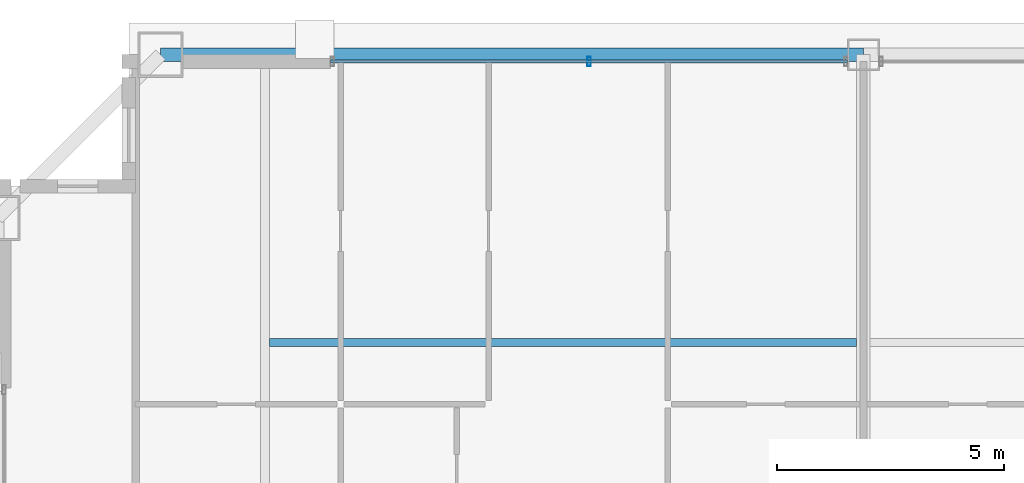
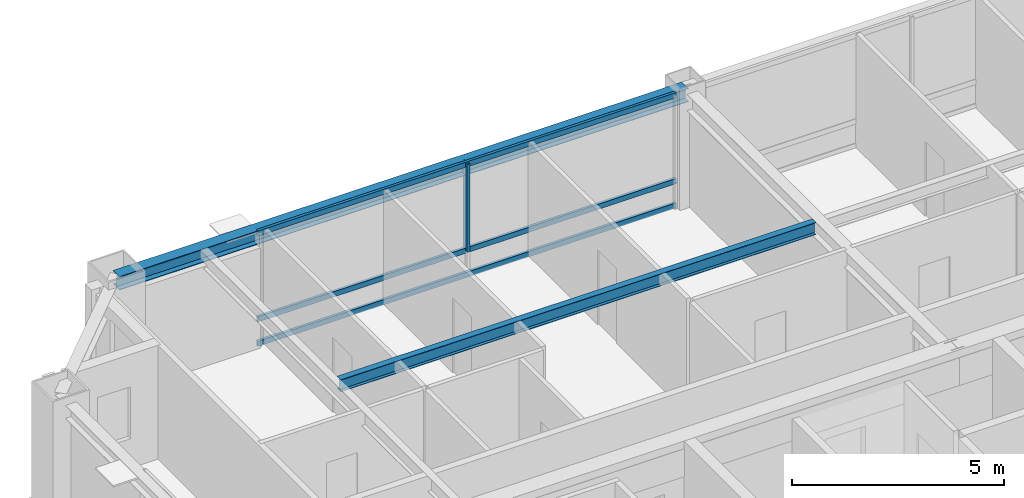
# One storey, part 17 of 35: 4 members, 2 beams, 1 element without a shape of its own.
"""IFC4 building model written with IfcOpenShell, lengths in metres."""

import ifcopenshell
import ifcopenshell.guid

model = None  # the IFC model being written
_history = None  # IfcOwnerHistory: only IFC2X3 demands one
_inside = {}  # id of a spatial element -> (the spatial element, [elements in it])
_under = {}  # id of a project, library or spatial element -> (it, [spatial elements below it])
_declared = {}  # id of a project -> (the project, [libraries it declares])
_typed = {}  # id of a type object -> (the type object, [elements of that type])
_made_of = {}  # id of a material, layer set ... -> (it, [elements and type objects made of it])


def new_model(schema):
    """Start an empty IFC model of exactly this schema.

    Asked for "IFC4X3", IfcOpenShell would pick the latest addendum, in which some entities
    have other attributes; the version numbers below select the first issue.
    IFC2X3 requires an IfcOwnerHistory on every rooted entity: one is made here for all.
    """
    global model, _history
    if schema == "IFC4X3":
        model = ifcopenshell.file(schema_version=(4, 3, 0, 0))
    else:
        model = ifcopenshell.file(schema=schema)
    _inside.clear()
    _under.clear()
    _declared.clear()
    _typed.clear()
    _made_of.clear()
    _history = None
    if model.schema == "IFC2X3":
        org = make("IfcOrganization", Name="unknown")
        user = make(
            "IfcPersonAndOrganization",
            ThePerson=make("IfcPerson", FamilyName="unknown"),
            TheOrganization=org,
        )
        app = make(
            "IfcApplication",
            ApplicationDeveloper=org,
            Version="unknown",
            ApplicationFullName="unknown",
            ApplicationIdentifier="unknown",
        )
        _history = make(
            "IfcOwnerHistory",
            OwningUser=user,
            OwningApplication=app,
            ChangeAction="ADDED",
            CreationDate=0,
        )
    return model


def make(cls, **values):
    """One entity of the class cls with the attributes given. An attribute that is None is left unset."""
    return model.create_entity(
        cls, **{name: value for name, value in values.items() if value is not None}
    )


def rooted(cls, **values):
    """An entity with a GlobalId (a new one), such as an element, a storey or a relation."""
    return make(cls, GlobalId=ifcopenshell.guid.new(), OwnerHistory=_history, **values)


def si_unit(unit_type, name, prefix=None):
    """IfcSIUnit, for example si_unit("LENGTHUNIT", "METRE", prefix="MILLI")."""
    return make("IfcSIUnit", UnitType=unit_type, Prefix=prefix, Name=name)


def assignment(units):
    """IfcUnitAssignment: the units of a project."""
    return None if units is None else make("IfcUnitAssignment", Units=units)


def point(xyz):
    """IfcCartesianPoint."""
    return None if xyz is None else make("IfcCartesianPoint", Coordinates=xyz)


def direction(xyz):
    """IfcDirection."""
    return None if xyz is None else make("IfcDirection", DirectionRatios=xyz)


def frame(location, z_axis=None, x_axis=None):
    """IfcAxis2Placement3D, a coordinate frame: its origin and axes. An axis left out is left unset."""
    return make(
        "IfcAxis2Placement3D",
        Location=point(location),
        Axis=direction(z_axis),
        RefDirection=direction(x_axis),
    )


def frame_2d(location, x_axis=None):
    """IfcAxis2Placement2D, a coordinate frame in the plane: its origin and x axis."""
    return make(
        "IfcAxis2Placement2D", Location=point(location), RefDirection=direction(x_axis)
    )


def origin():
    """The frame at (0, 0, 0) with its axes left unset."""
    return frame((0.0, 0.0, 0.0))


def origin_2d():
    """The frame at (0, 0) in the plane with its x axis left unset."""
    return frame_2d((0.0, 0.0))


def place(relative_to, where):
    """IfcLocalPlacement: puts the frame where relative to a parent placement (None: the world)."""
    return make(
        "IfcLocalPlacement", PlacementRelTo=relative_to, RelativePlacement=where
    )


def context(
    kind, dimensions, precision=None, world=None, true_north=None, identifier=None
):
    """IfcGeometricRepresentationContext, for example the 3D "Model" context."""
    return make(
        "IfcGeometricRepresentationContext",
        ContextIdentifier=identifier,
        ContextType=kind,
        CoordinateSpaceDimension=dimensions,
        Precision=precision,
        WorldCoordinateSystem=world,
        TrueNorth=true_north,
    )


def subcontext(parent, identifier, kind, view, scale=None):
    """IfcGeometricRepresentationSubContext, for example "Body" below "Model"."""
    return make(
        "IfcGeometricRepresentationSubContext",
        ContextIdentifier=identifier,
        ContextType=kind,
        ParentContext=parent,
        TargetScale=scale,
        TargetView=view,
    )


def project(units=None, contexts=None):
    """IfcProject with its units and contexts."""
    return rooted(
        "IfcProject",
        Name="project",
        RepresentationContexts=contexts,
        UnitsInContext=assignment(units),
    )


def spatial(cls, under=None, at=None, **own):
    """A site, building, storey or space (cls), placed at a placement, below another one or the project."""
    s = rooted(cls, ObjectPlacement=at, **own)
    if under is not None:
        _under.setdefault(under.id(), (under, []))[1].append(s)
    return s


def profile(cls, at=None, kind="AREA", **sizes):
    """A parametric profile (cls). Its sizes go by their IFC names, for example OverallWidth=200.0."""
    return make(cls, ProfileType=kind, Position=at, **sizes)


def hollow_rectangle(**sizes):
    """IfcRectangleHollowProfileDef."""
    return profile("IfcRectangleHollowProfileDef", **sizes)


def i_section(**sizes):
    """IfcIShapeProfileDef."""
    return profile("IfcIShapeProfileDef", **sizes)


def extrude(swept, where, along, depth):
    """IfcExtrudedAreaSolid: the profile swept, set in the frame where, extruded along a direction by depth."""
    return make(
        "IfcExtrudedAreaSolid",
        SweptArea=swept,
        Position=where,
        ExtrudedDirection=direction(along),
        Depth=depth,
    )


def shape(context_of_items, identifier, shape_type, items):
    """IfcShapeRepresentation: the items that make up one representation, for example the "Body"."""
    return make(
        "IfcShapeRepresentation",
        ContextOfItems=context_of_items,
        RepresentationIdentifier=identifier,
        RepresentationType=shape_type,
        Items=items,
    )


def source(mapping_origin, context_of_items, identifier, shape_type, items):
    """IfcRepresentationMap: a shape defined once, which mapped items show again and again."""
    return make(
        "IfcRepresentationMap",
        MappingOrigin=mapping_origin,
        MappedRepresentation=shape(context_of_items, identifier, shape_type, items),
    )


def transform(
    local_origin,
    x_axis=None,
    y_axis=None,
    z_axis=None,
    scale=None,
    scale2=None,
    scale3=None,
    uniform=True,
):
    """IfcCartesianTransformationOperator3D, or its non-uniform kind. x_axis, y_axis, z_axis: its Axis1, 2, 3."""
    if uniform:
        return make(
            "IfcCartesianTransformationOperator3D",
            Axis1=direction(x_axis),
            Axis2=direction(y_axis),
            LocalOrigin=point(local_origin),
            Scale=scale,
            Axis3=direction(z_axis),
        )
    return make(
        "IfcCartesianTransformationOperator3DnonUniform",
        Axis1=direction(x_axis),
        Axis2=direction(y_axis),
        LocalOrigin=point(local_origin),
        Scale=scale,
        Axis3=direction(z_axis),
        Scale2=scale2,
        Scale3=scale3,
    )


def mapped(mapping_source, mapping_target):
    """IfcMappedItem: shows the shape of a source again, moved by a transform."""
    return make(
        "IfcMappedItem", MappingSource=mapping_source, MappingTarget=mapping_target
    )


def material(Name=None, Category=None):
    """IfcMaterial."""
    return make("IfcMaterial", Name=Name, Category=Category)


def layer(
    of_material, thickness, ventilated=None, Name=None, Category=None, Priority=None
):
    """IfcMaterialLayer: one layer of a wall or slab, of a material (None: an air gap)."""
    return make(
        "IfcMaterialLayer",
        Material=of_material,
        LayerThickness=thickness,
        IsVentilated=ventilated,
        Name=Name,
        Category=Category,
        Priority=Priority,
    )


def layer_set(layers, Name=None):
    """IfcMaterialLayerSet."""
    return make("IfcMaterialLayerSet", MaterialLayers=layers, LayerSetName=Name)


def material_profile(
    of_material, cross_section, Name=None, Category=None, Priority=None
):
    """IfcMaterialProfile: a cross section and its material."""
    return make(
        "IfcMaterialProfile",
        Name=Name,
        Material=of_material,
        Profile=cross_section,
        Priority=Priority,
        Category=Category,
    )


def profile_set(profiles, Name=None, composite=None):
    """IfcMaterialProfileSet."""
    return make(
        "IfcMaterialProfileSet",
        Name=Name,
        MaterialProfiles=profiles,
        CompositeProfile=composite,
    )


def made_of(thing, what):
    """Note that an element or type object is made of a material, layer set ...; save() writes the relation."""
    if what is not None:
        _made_of.setdefault(what.id(), (what, []))[1].append(thing)
    return thing


def type_object(cls, material=None, **own):
    """A type object (cls), such as IfcWallType, which elements share."""
    return made_of(rooted(cls, **own), material)


def element(
    cls,
    number,
    at=None,
    inside=None,
    cuts=None,
    type_object=None,
    material=None,
    context=None,
    identifier="Body",
    shape_type=None,
    held_by="IfcProductDefinitionShape",
    body=None,
    shapes=None,
    **own,
):
    """One element of the class cls, such as IfcWall. Its Tag is "e" and its number.

    at: its placement. inside: the storey or other place that contains it. cuts: it is an
    opening in that element (IfcRelVoidsElement). A single representation is given by context,
    identifier, shape_type and body (its items); several are given by shapes. held_by: the class
    of the entity that holds the representations. save() writes the other relations.
    """
    e = rooted(cls, Tag="e%d" % number, ObjectPlacement=at, **own)
    if body is not None:
        shapes = [shape(context, identifier, shape_type, body)]
    if shapes is not None:
        e.Representation = make(held_by, Representations=shapes)
    if inside is not None:
        _inside.setdefault(inside.id(), (inside, []))[1].append(e)
    if cuts is not None:
        rooted(
            "IfcRelVoidsElement", RelatingBuildingElement=cuts, RelatedOpeningElement=e
        )
    if type_object is not None:
        _typed.setdefault(type_object.id(), (type_object, []))[1].append(e)
    return made_of(e, material)


def aggregate(whole, parts):
    """IfcRelAggregates: a whole, such as a stair, and the parts it consists of."""
    return rooted("IfcRelAggregates", RelatingObject=whole, RelatedObjects=parts)


def save(model, path):
    """Write the relations noted so far, then the file.

    IfcRelAggregates (storeys below a building ...), IfcRelContainedInSpatialStructure (elements
    in a storey), IfcRelDefinesByType, IfcRelAssociatesMaterial and IfcRelDeclares: one each for
    every whole, place, type object, material and project.
    """
    for whole, parts in _under.values():
        aggregate(whole, parts)
    for where, things in _inside.values():
        rooted(
            "IfcRelContainedInSpatialStructure",
            RelatedElements=things,
            RelatingStructure=where,
        )
    for kind, things in _typed.values():
        rooted("IfcRelDefinesByType", RelatedObjects=things, RelatingType=kind)
    for what, things in _made_of.values():
        rooted("IfcRelAssociatesMaterial", RelatedObjects=things, RelatingMaterial=what)
    for by, libraries in _declared.values():
        rooted("IfcRelDeclares", RelatingContext=by, RelatedDefinitions=libraries)
    model.write(path)


model = new_model("IFC4")

# Units and contexts
model_context = context("Model", 3, precision=1e-05, world=origin(), true_north=direction((0.0, 1.0)))
body_context = subcontext(model_context, "Body", "Model", "MODEL_VIEW")
ifc_project = project(units=[si_unit("LENGTHUNIT", "METRE"), si_unit("AREAUNIT", "SQUARE_METRE"), si_unit("VOLUMEUNIT", "CUBIC_METRE"), si_unit("PLANEANGLEUNIT", "RADIAN"), si_unit("MASSUNIT", "GRAM", prefix="KILO"), si_unit("THERMODYNAMICTEMPERATUREUNIT", "KELVIN"), si_unit("POWERUNIT", "WATT")], contexts=[model_context])

# Site, building, storey
site_placement = place(None, origin())
site = spatial("IfcSite", under=ifc_project, at=site_placement, CompositionType="ELEMENT")
building_placement = place(site_placement, origin())
building = spatial("IfcBuilding", under=site, at=building_placement, Name="Yuzanri Waterfront Tower", CompositionType="ELEMENT")
storey_placement = place(building_placement, frame((0.0, 0.0, 296.10009765625)))
storey = spatial("IfcBuildingStorey", under=building, at=storey_placement, Name="L79", CompositionType="ELEMENT", Elevation=296.10009765625)

# Beams
ifc_material_1 = material(Name="Steel Q355B", Category="steel")
ifc_material_profile_1 = material_profile(ifc_material_1, i_section(OverallWidth=0.175048828125, OverallDepth=0.35009765625, WebThickness=0.007080078125, FlangeThickness=0.010986328125, at=origin_2d()), Name="HN 350x175x7x11")
ifc_profile_set_1 = profile_set([ifc_material_profile_1], Name="Steel Q355B")
beam_type_1 = type_object("IfcBeamType", Name="Floor Joist Q355B HN 350x175", PredefinedType="JOIST", material=ifc_profile_set_1)
shared_shape_1 = source(origin(), body_context, "Body", "SweptSolid", [
    extrude(i_section(OverallWidth=0.175048828125, OverallDepth=0.35009765625, WebThickness=0.007080078125, FlangeThickness=0.010986328125, at=origin_2d()), origin(), (0.0, 0.0, 1.0), 12.9501953125),
])
beam_1_placement = place(storey_placement, frame((23.89990234375, 38.550048828125, 3.10498046875), z_axis=(1.0, 0.0, 0.0), x_axis=(0.0, 1.0, 0.0)))
element("IfcBeam", 1, at=beam_1_placement, inside=storey, type_object=beam_type_1, Name="L79 North Bay Joist W", PredefinedType="JOIST", context=body_context, shape_type="MappedRepresentation", body=[
    mapped(shared_shape_1, transform((0.0, 0.0, 0.0), scale=1.0)),
])
ifc_material_2 = material(Name="Steel Q355B", Category="steel")
ifc_material_profile_2 = material_profile(ifc_material_2, i_section(OverallWidth=0.300048828125, OverallDepth=0.389892578125, WebThickness=0.010009765625, FlangeThickness=0.01611328125, at=origin_2d()), Name="HM 390x300x10x16")
ifc_profile_set_2 = profile_set([ifc_material_profile_2], Name="Steel Q355B")
beam_type_2 = type_object("IfcBeamType", Name="Perimeter Spandrel Q355B HM 390x300", PredefinedType="SPANDREL", material=ifc_profile_set_2)
shared_shape_2 = source(origin(), body_context, "Body", "SweptSolid", [
    extrude(i_section(OverallWidth=0.300048828125, OverallDepth=0.389892578125, WebThickness=0.010009765625, FlangeThickness=0.01611328125, at=origin_2d()), origin(), (0.0, 0.0, 1.0), 15.5),
])
beam_2_placement = place(storey_placement, frame((37.0, 44.89990234375, 3.0849609375), z_axis=(-1.0, 0.0, 0.0), x_axis=(0.0, -1.0, 0.0)))
element("IfcBeam", 2, at=beam_2_placement, inside=storey, type_object=beam_type_2, Name="L79 Perimeter Spandrel N2-N1", PredefinedType="SPANDREL", context=body_context, shape_type="MappedRepresentation", body=[
    mapped(shared_shape_2, transform((0.0, 0.0, 0.0), scale=1.0)),
])

# Curtain wall, members
ifc_material_3 = material(Name="Anodized Architectural Bronze", Category="metal")
ifc_layer = layer(ifc_material_3, 0.159912109375)
ifc_layer_set = layer_set([ifc_layer], Name="Anodized Architectural Bronze")
curtain_wall_type = type_object("IfcCurtainWallType", Name="Anodized Bronze High-Rise Penthouse High-Wind Unitized Curtain Wall 6900", PredefinedType="NOTDEFINED", material=ifc_layer_set)
curtain_wall_placement = place(storey_placement, origin())
curtain_wall = element("IfcCurtainWall", 3, at=curtain_wall_placement, inside=storey, type_object=curtain_wall_type, Name="L79 Curtain Wall CW-L79-NL", PredefinedType="NOTDEFINED")
ifc_material_4 = material(Name="Anodized Architectural Bronze", Category="metal")
ifc_material_profile_3 = material_profile(ifc_material_4, hollow_rectangle(XDim=0.074951171875, YDim=0.199951171875, WallThickness=0.00390625, at=origin_2d()), Name="CWM 75x200")
ifc_profile_set_3 = profile_set([ifc_material_profile_3], Name="Anodized Architectural Bronze")
member_type_1 = type_object("IfcMemberType", Name="Anodized Bronze Primary Curtain-Wall Mullion 75x200", PredefinedType="MULLION", material=ifc_profile_set_3)
shared_shape_3 = source(origin(), body_context, "Body", "SweptSolid", [
    extrude(hollow_rectangle(XDim=0.074951171875, YDim=0.199951171875, WallThickness=0.00390625, at=origin_2d()), origin(), (0.0, 0.0, 1.0), 2.52392578125),
])
member_1_placement = place(storey_placement, frame((30.949951171875, 44.75, 0.755859375), z_axis=(0.0, 0.0, 1.0), x_axis=(1.0, 0.0, 0.0)))
member_1 = element("IfcMember", 4, at=member_1_placement, type_object=member_type_1, Name="CW-L79-NL Upper Mullion 01", PredefinedType="MULLION", context=body_context, shape_type="MappedRepresentation", body=[
    mapped(shared_shape_3, transform((0.0, 0.0, 0.0), scale=1.0)),
])
ifc_material_5 = material(Name="Anodized Architectural Bronze", Category="metal")
ifc_material_profile_4 = material_profile(ifc_material_5, hollow_rectangle(XDim=0.074951171875, YDim=0.14990234375, WallThickness=0.00390625, at=origin_2d()), Name="CWT 75x150")
ifc_profile_set_4 = profile_set([ifc_material_profile_4], Name="Anodized Architectural Bronze")
member_type_2 = type_object("IfcMemberType", Name="Anodized Bronze Primary Curtain-Wall Transom 75x150", PredefinedType="USERDEFINED", material=ifc_profile_set_4)
shared_shape_4 = source(origin(), body_context, "Body", "SweptSolid", [
    extrude(hollow_rectangle(XDim=0.074951171875, YDim=0.14990234375, WallThickness=0.00390625, at=origin_2d()), origin(), (0.0, 0.0, 1.0), 11.39990234375),
])
member_2_placement = place(storey_placement, frame((25.25, 44.75, 0.0498046875), z_axis=(1.0, 0.0, 0.0), x_axis=(0.0, 1.0, 0.0)))
member_2 = element("IfcMember", 5, at=member_2_placement, type_object=member_type_2, Name="CW-L79-NL Transom 1", ObjectType="TRANSOM", PredefinedType="USERDEFINED", context=body_context, shape_type="MappedRepresentation", body=[
    mapped(shared_shape_4, transform((0.0, 0.0, 0.0), scale=1.0)),
])
member_3_placement = place(storey_placement, frame((25.25, 44.75, 0.75390625), z_axis=(1.0, 0.0, 0.0), x_axis=(0.0, 1.0, 0.0)))
member_3 = element("IfcMember", 6, at=member_3_placement, type_object=member_type_2, Name="CW-L79-NL Transom 2", ObjectType="TRANSOM", PredefinedType="USERDEFINED", context=body_context, shape_type="MappedRepresentation", body=[
    mapped(shared_shape_4, transform((0.0, 0.0, 0.0), scale=1.0)),
])
member_4_placement = place(storey_placement, frame((25.25, 44.75, 3.22998046875), z_axis=(1.0, 0.0, 0.0), x_axis=(0.0, 1.0, 0.0)))
member_4 = element("IfcMember", 7, at=member_4_placement, type_object=member_type_2, Name="CW-L79-NL Transom 3", ObjectType="TRANSOM", PredefinedType="USERDEFINED", context=body_context, shape_type="MappedRepresentation", body=[
    mapped(shared_shape_4, transform((0.0, 0.0, 0.0), scale=1.0)),
])
aggregate(curtain_wall, [member_1, member_2, member_3, member_4])

save(model, "model.ifc")
